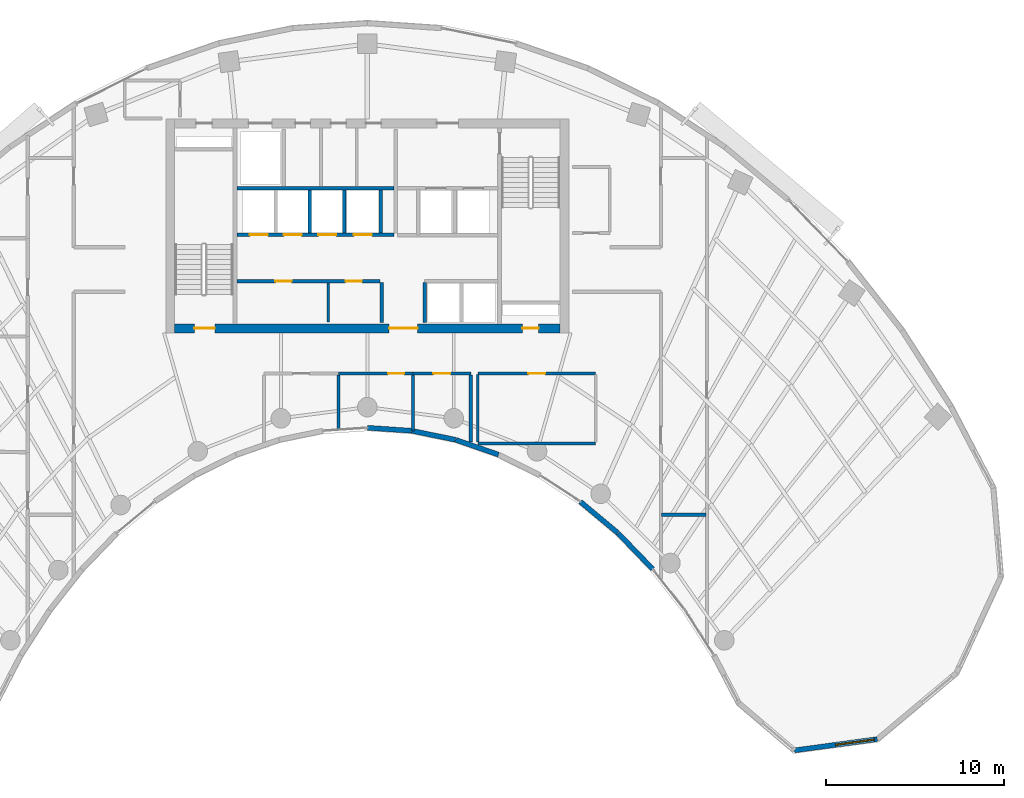
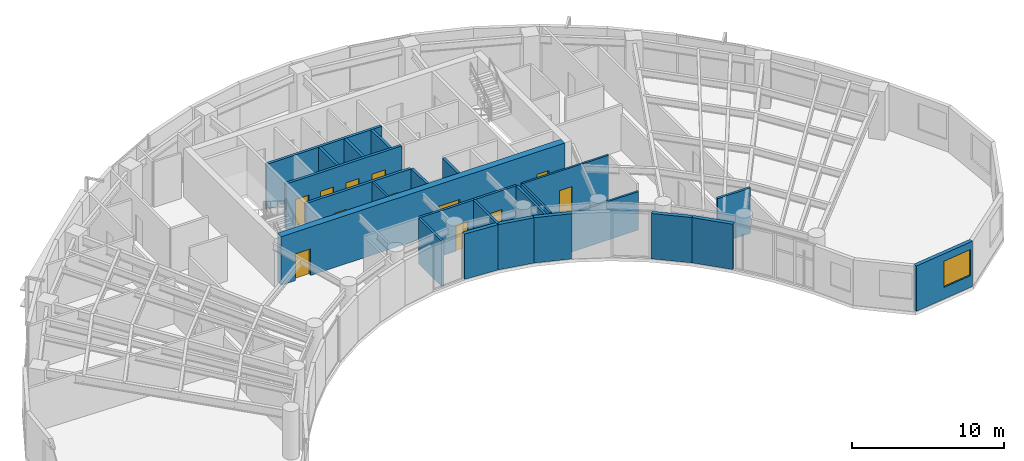
# One storey, part 8 of 13: 25 walls, 12 doors, 1 window, 13 openings.
"""IFC4 building model written with IfcOpenShell, lengths in metres."""

from ifc_helpers import new_model, si_unit, direction, frame, frame_2d, origin, place, context, subcontext, project, spatial, rectangle, extrude, source, transform, mapped, material, layer, layer_set, type_object, type_shapes, element, fill, save


model = new_model("IFC4")

# Units and contexts
model_context = context("Model", 3, precision=1e-05, world=origin(), true_north=direction((0.0, 1.0)))
body_context = subcontext(model_context, "Body", "Model", "MODEL_VIEW")
ifc_project = project(units=[si_unit("LENGTHUNIT", "METRE"), si_unit("AREAUNIT", "SQUARE_METRE"), si_unit("VOLUMEUNIT", "CUBIC_METRE"), si_unit("PLANEANGLEUNIT", "RADIAN"), si_unit("MASSUNIT", "GRAM", prefix="KILO")], contexts=[model_context])

# Site, building, storey
site_placement = place(None, origin())
site = spatial("IfcSite", under=ifc_project, at=site_placement, CompositionType="ELEMENT")
building_placement = place(site_placement, origin())
building = spatial("IfcBuilding", under=site, at=building_placement, Name="Breltana Convention Tower", CompositionType="ELEMENT")
storey_placement = place(building_placement, frame((0.0, 0.0, 174.0)))
storey = spatial("IfcBuildingStorey", under=building, at=storey_placement, Name="L42", CompositionType="ELEMENT", Elevation=174.0)

# Wall, openings, doors
ifc_material_1 = material(Name="Concrete C60/75", Category="concrete")
ifc_layer_1 = layer(ifc_material_1, 0.5, Name="Concrete C60/75")
ifc_layer_set_1 = layer_set([ifc_layer_1], Name="Concrete C60/75")
wall_type_1 = type_object("IfcWallType", Name="SW-CORE-500", PredefinedType="SHEAR", material=ifc_layer_set_1)
shared_shape_1 = source(origin(), body_context, "Body", "SweptSolid", [
    extrude(rectangle(XDim=21.60009765625, YDim=0.5, at=frame_2d((10.800048828125, 0.0))), origin(), (0.0, 0.0, 1.0), 3.89990234375),
])
wall_1_placement = place(storey_placement, frame((37.199951171875, 60.449951171875, 0.0), z_axis=(0.0, 0.0, 1.0), x_axis=(1.0, 0.0, 0.0)))
wall_1 = element("IfcWall", 1, at=wall_1_placement, inside=storey, type_object=wall_type_1, Name="L42 South Core Shear Wall", PredefinedType="SHEAR", context=body_context, shape_type="MappedRepresentation", body=[
    mapped(shared_shape_1, transform((0.0, 0.0, 0.0), scale=1.0)),
])
opening_1_placement = place(wall_1_placement, frame((1.10009765625, 0.0, 0.0)))
opening_1 = element("IfcOpeningElement", 2, at=opening_1_placement, cuts=wall_1, Name="Opening D-11", PredefinedType="OPENING", context=body_context, shape_type="SweptSolid", body=[
    extrude(rectangle(XDim=1.14990234375, YDim=2.14990234375, at=frame_2d((0.574951171875, 1.074951171875))), frame((0.0, 0.260009765625, 0.0), z_axis=(0.0, -1.0, 0.0), x_axis=(1.0, 0.0, 0.0)), (0.0, 0.0, 1.0), 0.52001953125),
])
opening_2_placement = place(wall_1_placement, frame((19.5, 0.0, 0.0)))
opening_2 = element("IfcOpeningElement", 3, at=opening_2_placement, cuts=wall_1, Name="Opening D-18", PredefinedType="OPENING", context=body_context, shape_type="SweptSolid", body=[
    extrude(rectangle(XDim=0.89990234375, YDim=2.10009765625, at=frame_2d((0.449951171875, 1.050048828125))), frame((0.0, 0.260009765625, 0.0), z_axis=(0.0, -1.0, 0.0), x_axis=(1.0, 0.0, 0.0)), (0.0, 0.0, 1.0), 0.52001953125),
])
opening_3_placement = place(wall_1_placement, frame((12.02001953125, 0.0, 0.0)))
opening_3 = element("IfcOpeningElement", 4, at=opening_3_placement, cuts=wall_1, Name="Opening D-02", PredefinedType="OPENING", context=body_context, shape_type="SweptSolid", body=[
    extrude(rectangle(XDim=1.60009765625, YDim=2.14990234375, at=frame_2d((0.800048828125, 1.074951171875))), frame((0.0, 0.260009765625, 0.0), z_axis=(0.0, -1.0, 0.0), x_axis=(1.0, 0.0, 0.0)), (0.0, 0.0, 1.0), 0.52001953125),
])
ifc_material_2 = material(Name="Steel Stair Exit Door", Category="steel")
door_type_1 = type_object("IfcDoorType", Name="DR-FD120-1150", OperationType="NOTDEFINED", PredefinedType="DOOR", material=ifc_material_2)
shared_shape_2 = source(origin(), body_context, "Body", "SweptSolid", [
    extrude(rectangle(XDim=1.14990234375, YDim=2.14990234375, at=frame_2d((0.574951171875, 1.074951171875))), frame((0.0, 0.02490234375, 0.0), z_axis=(0.0, -1.0, 0.0), x_axis=(1.0, 0.0, 0.0)), (0.0, 0.0, 1.0), 0.050048828125),
])
type_shapes(door_type_1, [shared_shape_2])
door_1_placement = place(opening_1_placement, origin())
door_1 = element("IfcDoor", 5, at=door_1_placement, inside=storey, type_object=door_type_1, Name="L42 interior door D-L42-ST1", OperationType="SINGLE_SWING_LEFT", OverallHeight=2.14990234375, OverallWidth=1.14990234375, PredefinedType="DOOR", context=body_context, shape_type="MappedRepresentation", body=[
    mapped(shared_shape_2, transform((0.0, 0.0, 0.0), scale=1.0)),
])
fill(opening_1, door_1)
ifc_material_3 = material(Name="Steel Riser Fire Door", Category="steel")
door_type_2 = type_object("IfcDoorType", Name="DR-FD60-900", OperationType="NOTDEFINED", PredefinedType="DOOR", material=ifc_material_3)
shared_shape_3 = source(origin(), body_context, "Body", "SweptSolid", [
    extrude(rectangle(XDim=0.89990234375, YDim=2.10009765625, at=frame_2d((0.449951171875, 1.050048828125))), frame((0.0, 0.02490234375, 0.0), z_axis=(0.0, -1.0, 0.0), x_axis=(1.0, 0.0, 0.0)), (0.0, 0.0, 1.0), 0.050048828125),
])
type_shapes(door_type_2, [shared_shape_3])
door_2_placement = place(opening_2_placement, origin())
door_2 = element("IfcDoor", 6, at=door_2_placement, inside=storey, type_object=door_type_2, Name="L42 Core Riser Access Door D-L42-RS2", OperationType="SINGLE_SWING_RIGHT", OverallHeight=2.10009765625, OverallWidth=0.89990234375, PredefinedType="DOOR", context=body_context, shape_type="MappedRepresentation", body=[
    mapped(shared_shape_3, transform((0.0, 0.0, 0.0), scale=1.0)),
])
fill(opening_2, door_2)
ifc_material_4 = material(Name="Steel Glazed Smoke-Control Door", Category="steel")
door_type_3 = type_object("IfcDoorType", Name="DR-DBL-FD90-1600", OperationType="DOUBLE_DOOR_SINGLE_SWING", PredefinedType="DOOR", material=ifc_material_4)
shared_shape_4 = source(origin(), body_context, "Body", "SweptSolid", [
    extrude(rectangle(XDim=1.60009765625, YDim=2.14990234375, at=frame_2d((0.800048828125, 1.074951171875))), frame((0.0, 0.02490234375, 0.0), z_axis=(0.0, -1.0, 0.0), x_axis=(1.0, 0.0, 0.0)), (0.0, 0.0, 1.0), 0.050048828125),
])
type_shapes(door_type_3, [shared_shape_4])
door_3_placement = place(opening_3_placement, origin())
door_3 = element("IfcDoor", 7, at=door_3_placement, inside=storey, type_object=door_type_3, Name="L42 interior door D-L42-LLB-S", OperationType="DOUBLE_DOOR_SINGLE_SWING", OverallHeight=2.14990234375, OverallWidth=1.60009765625, PredefinedType="DOOR", context=body_context, shape_type="MappedRepresentation", body=[
    mapped(shared_shape_4, transform((0.0, 0.0, 0.0), scale=1.0)),
])
fill(opening_3, door_3)

# Wall, opening, window
ifc_material_5 = material(Name="Limestone Buff Insulated Wall", Category="masonry")
ifc_layer_2 = layer(ifc_material_5, 0.280029296875, Name="Limestone Buff Insulated Wall")
ifc_layer_set_2 = layer_set([ifc_layer_2], Name="Limestone Buff Insulated Wall")
wall_type_2 = type_object("IfcWallType", Name="WL-EXT-NOSE-280", PredefinedType="SOLIDWALL", material=ifc_layer_set_2)
shared_shape_5 = source(origin(), body_context, "Body", "SweptSolid", [
    extrude(rectangle(XDim=4.680419921875, YDim=0.280029296875, at=frame_2d((2.34033203125, 0.0))), origin(), (0.0, 0.0, 1.0), 3.64990234375),
])
wall_2_placement = place(storey_placement, frame((76.594482421875, 37.41650390625, 0.0), z_axis=(0.0, 0.0, 1.0), x_axis=(-0.990931146435, -0.134370618162, 0.0)))
wall_2 = element("IfcWall", 8, at=wall_2_placement, inside=storey, type_object=wall_type_2, Name="L42 curved limestone nose wall E4", PredefinedType="SOLIDWALL", context=body_context, shape_type="MappedRepresentation", body=[
    mapped(shared_shape_5, transform((0.0, 0.0, 0.0), scale=1.0)),
])
opening_4_placement = place(wall_2_placement, frame((0.159912109375, 0.0, 0.949951171875)))
opening_4 = element("IfcOpeningElement", 9, at=opening_4_placement, cuts=wall_2, Name="Opening W-03", PredefinedType="OPENING", context=body_context, shape_type="SweptSolid", body=[
    extrude(rectangle(XDim=2.199951171875, YDim=2.10009765625, at=frame_2d((1.10009765625, 1.050048828125))), frame((0.0, 0.14990234375, 0.0), z_axis=(0.0, -1.0, 0.0), x_axis=(1.0, 0.0, 0.0)), (0.0, 0.0, 1.0), 0.300048828125),
])
ifc_material_6 = material(Name="Glass Low-E Insulated Window", Category="glass")
window_type = type_object("IfcWindowType", Name="WN-NOSE-2200X2100", PartitioningType="TRIPLE_PANEL_VERTICAL", PredefinedType="WINDOW", material=ifc_material_6)
shared_shape_6 = source(origin(), body_context, "Body", "SweptSolid", [
    extrude(rectangle(XDim=2.199951171875, YDim=2.10009765625, at=frame_2d((1.10009765625, 1.050048828125))), frame((0.0, 0.030029296875, 0.0), z_axis=(0.0, -1.0, 0.0), x_axis=(1.0, 0.0, 0.0)), (0.0, 0.0, 1.0), 0.06005859375),
])
type_shapes(window_type, [shared_shape_6])
window_placement = place(opening_4_placement, origin())
window = element("IfcWindow", 10, at=window_placement, inside=storey, type_object=window_type, Name="L42 nose window E4", OverallHeight=2.10009765625, OverallWidth=2.199951171875, PartitioningType="TRIPLE_PANEL_VERTICAL", PredefinedType="WINDOW", context=body_context, shape_type="MappedRepresentation", body=[
    mapped(shared_shape_6, transform((0.0, 0.0, 0.0), scale=1.0)),
])
fill(opening_4, window)

# Walls
shared_shape_7 = source(origin(), body_context, "Body", "SweptSolid", [
    extrude(rectangle(XDim=2.812255859375, YDim=0.280029296875, at=frame_2d((1.40625, 0.0))), origin(), (0.0, 0.0, 1.0), 3.64990234375),
])
wall_3_placement = place(storey_placement, frame((64.00830078125, 46.9501953125, 0.0), z_axis=(0.0, 0.0, 1.0), x_axis=(-0.694583668785, 0.719411931411, 0.0)))
element("IfcWall", 11, at=wall_3_placement, inside=storey, type_object=wall_type_2, Name="L42 curved limestone nose wall E7", PredefinedType="SOLIDWALL", context=body_context, shape_type="MappedRepresentation", body=[
    mapped(shared_shape_7, transform((0.0, 0.0, 0.0), scale=1.0)),
])
shared_shape_8 = source(origin(), body_context, "Body", "SweptSolid", [
    extrude(rectangle(XDim=2.7294921875, YDim=0.280029296875, at=frame_2d((1.36474609375, 0.0))), origin(), (0.0, 0.0, 1.0), 3.64990234375),
])
wall_4_placement = place(storey_placement, frame((62.040771484375, 48.986572265625, 0.0), z_axis=(0.0, 0.0, 1.0), x_axis=(-0.767957284255, 0.640501061326, 0.0)))
element("IfcWall", 12, at=wall_4_placement, inside=storey, type_object=wall_type_2, Name="L42 curved limestone nose wall E8", PredefinedType="SOLIDWALL", context=body_context, shape_type="MappedRepresentation", body=[
    mapped(shared_shape_8, transform((0.0, 0.0, 0.0), scale=1.0)),
])
shared_shape_9 = source(origin(), body_context, "Body", "SweptSolid", [
    extrude(rectangle(XDim=2.52978515625, YDim=0.280029296875, at=frame_2d((1.264892578125, 0.0))), origin(), (0.0, 0.0, 1.0), 3.64990234375),
])
wall_5_placement = place(storey_placement, frame((55.35546875, 53.369873046875, 0.0), z_axis=(0.0, 0.0, 1.0), x_axis=(-0.944872429646, 0.327438683872, 0.0)))
element("IfcWall", 13, at=wall_5_placement, inside=storey, type_object=wall_type_2, Name="L42 curved limestone nose wall E10", PredefinedType="SOLIDWALL", context=body_context, shape_type="MappedRepresentation", body=[
    mapped(shared_shape_9, transform((0.0, 0.0, 0.0), scale=1.0)),
])
shared_shape_10 = source(origin(), body_context, "Body", "SweptSolid", [
    extrude(rectangle(XDim=2.4912109375, YDim=0.280029296875, at=frame_2d((1.24560546875, 0.0))), origin(), (0.0, 0.0, 1.0), 3.64990234375),
])
wall_6_placement = place(storey_placement, frame((52.9423828125, 54.20458984375, 0.0), z_axis=(0.0, 0.0, 1.0), x_axis=(-0.979630885979, 0.200806691214, 0.0)))
element("IfcWall", 14, at=wall_6_placement, inside=storey, type_object=wall_type_2, Name="L42 curved limestone nose wall E11", PredefinedType="SOLIDWALL", context=body_context, shape_type="MappedRepresentation", body=[
    mapped(shared_shape_10, transform((0.0, 0.0, 0.0), scale=1.0)),
])
shared_shape_11 = source(origin(), body_context, "Body", "SweptSolid", [
    extrude(rectangle(XDim=2.471435546875, YDim=0.280029296875, at=frame_2d((1.23583984375, 0.0))), origin(), (0.0, 0.0, 1.0), 3.64990234375),
])
wall_7_placement = place(storey_placement, frame((50.47802734375, 54.708251953125, 0.0), z_axis=(0.0, 0.0, 1.0), x_axis=(-0.997708006929, 0.067666335123, 0.0)))
element("IfcWall", 15, at=wall_7_placement, inside=storey, type_object=wall_type_2, Name="L42 curved limestone nose wall E12", PredefinedType="SOLIDWALL", context=body_context, shape_type="MappedRepresentation", body=[
    mapped(shared_shape_11, transform((0.0, 0.0, 0.0), scale=1.0)),
])
ifc_material_7 = material(Name="Autoclaved Aerated Concrete Block", Category="concrete")
ifc_layer_3 = layer(ifc_material_7, 0.199951171875, Name="Autoclaved Aerated Concrete Block")
ifc_layer_set_3 = layer_set([ifc_layer_3], Name="Autoclaved Aerated Concrete Block")
wall_type_3 = type_object("IfcWallType", Name="WL-SHAFT-200", PredefinedType="SOLIDWALL", material=ifc_layer_set_3)
shared_shape_12 = source(origin(), body_context, "Body", "SweptSolid", [
    extrude(rectangle(XDim=2.239990234375, YDim=0.199951171875, at=frame_2d((1.1201171875, 0.0))), origin(), (0.0, 0.0, 1.0), 3.64990234375),
])
for number, where, z_axis, x_axis, name in (
    (16, (48.820068359375, 60.780029296875, 0.0), (0.0, 0.0, 1.0), (0.0, 1.0, 0.0), "L42 interior partition W-L42-PORT-W"),
    (17, (51.219970703125, 60.780029296875, 0.0), (0.0, 0.0, 1.0), (0.0, 1.0, 0.0), "L42 interior partition W-L42-PORT-E"),
):
    element("IfcWall", number, at=place(storey_placement, frame(where, z_axis=z_axis, x_axis=x_axis)), inside=storey, type_object=wall_type_3, Name=name, PredefinedType="SOLIDWALL", context=body_context, shape_type="MappedRepresentation", body=[
        mapped(shared_shape_12, transform((0.0, 0.0, 0.0), scale=1.0)),
    ])
shared_shape_13 = source(origin(), body_context, "Body", "SweptSolid", [
    extrude(rectangle(XDim=2.39990234375, YDim=0.199951171875, at=frame_2d((1.199951171875, 0.0))), origin(), (0.0, 0.0, 1.0), 3.64990234375),
])
for number, where, z_axis, x_axis, name in (
    (18, (48.75, 65.800048828125, 0.0), (0.0, 0.0, 1.0), (0.0, 1.0, 0.0), "L42 interior partition W-L42-SH-M-END"),
    (19, (44.77001953125, 65.800048828125, 0.0), (0.0, 0.0, 1.0), (0.0, 1.0, 0.0), "L42 interior partition W-L42-SH-M-DIV2"),
    (20, (46.699951171875, 65.800048828125, 0.0), (0.0, 0.0, 1.0), (0.0, 1.0, 0.0), "L42 interior partition W-L42-SH-M-DIV3"),
):
    element("IfcWall", number, at=place(storey_placement, frame(where, z_axis=z_axis, x_axis=x_axis)), inside=storey, type_object=wall_type_3, Name=name, PredefinedType="SOLIDWALL", context=body_context, shape_type="MappedRepresentation", body=[
        mapped(shared_shape_13, transform((0.0, 0.0, 0.0), scale=1.0)),
    ])
shared_shape_14 = source(origin(), body_context, "Body", "SweptSolid", [
    extrude(rectangle(XDim=8.800048828125, YDim=0.199951171875, at=frame_2d((4.39990234375, 0.0))), origin(), (0.0, 0.0, 1.0), 3.64990234375),
])
wall_8_placement = place(storey_placement, frame((40.699951171875, 68.300048828125, 0.0), z_axis=(0.0, 0.0, 1.0), x_axis=(1.0, 0.0, 0.0)))
element("IfcWall", 21, at=wall_8_placement, inside=storey, type_object=wall_type_3, Name="L42 interior partition W-L42-SV-S", PredefinedType="SOLIDWALL", context=body_context, shape_type="MappedRepresentation", body=[
    mapped(shared_shape_14, transform((0.0, 0.0, 0.0), scale=1.0)),
])

# Wall, openings, doors
wall_9_placement = place(storey_placement, frame((40.699951171875, 65.699951171875, 0.0), z_axis=(0.0, 0.0, 1.0), x_axis=(1.0, 0.0, 0.0)))
wall_9 = element("IfcWall", 22, at=wall_9_placement, inside=storey, type_object=wall_type_3, Name="L42 interior partition W-L42-SH-M-FRONT", PredefinedType="SOLIDWALL", context=body_context, shape_type="MappedRepresentation", body=[
    mapped(shared_shape_14, transform((0.0, 0.0, 0.0), scale=1.0)),
])
opening_5_placement = place(wall_9_placement, frame((0.719970703125, 0.0, 0.0)))
opening_5 = element("IfcOpeningElement", 23, at=opening_5_placement, cuts=wall_9, Name="Opening LD-04", PredefinedType="OPENING", context=body_context, shape_type="SweptSolid", body=[
    extrude(rectangle(XDim=1.0, YDim=2.14990234375, at=frame_2d((0.5, 1.074951171875))), frame((0.0, 0.10986328125, 0.0), z_axis=(0.0, -1.0, 0.0), x_axis=(1.0, 0.0, 0.0)), (0.0, 0.0, 1.0), 0.219970703125),
])
opening_6_placement = place(wall_9_placement, frame((2.6201171875, 0.0, 0.0)))
opening_6 = element("IfcOpeningElement", 24, at=opening_6_placement, cuts=wall_9, Name="Opening LD-04", PredefinedType="OPENING", context=body_context, shape_type="SweptSolid", body=[
    extrude(rectangle(XDim=1.0, YDim=2.14990234375, at=frame_2d((0.5, 1.074951171875))), frame((0.0, 0.10986328125, 0.0), z_axis=(0.0, -1.0, 0.0), x_axis=(1.0, 0.0, 0.0)), (0.0, 0.0, 1.0), 0.219970703125),
])
opening_7_placement = place(wall_9_placement, frame((4.550048828125, 0.0, 0.0)))
opening_7 = element("IfcOpeningElement", 25, at=opening_7_placement, cuts=wall_9, Name="Opening LD-04", PredefinedType="OPENING", context=body_context, shape_type="SweptSolid", body=[
    extrude(rectangle(XDim=1.0, YDim=2.14990234375, at=frame_2d((0.5, 1.074951171875))), frame((0.0, 0.10986328125, 0.0), z_axis=(0.0, -1.0, 0.0), x_axis=(1.0, 0.0, 0.0)), (0.0, 0.0, 1.0), 0.219970703125),
])
opening_8_placement = place(wall_9_placement, frame((6.550048828125, 0.0, 0.0)))
opening_8 = element("IfcOpeningElement", 26, at=opening_8_placement, cuts=wall_9, Name="Opening LD-04", PredefinedType="OPENING", context=body_context, shape_type="SweptSolid", body=[
    extrude(rectangle(XDim=1.0, YDim=2.14990234375, at=frame_2d((0.5, 1.074951171875))), frame((0.0, 0.10986328125, 0.0), z_axis=(0.0, -1.0, 0.0), x_axis=(1.0, 0.0, 0.0)), (0.0, 0.0, 1.0), 0.219970703125),
])
ifc_material_8 = material(Name="Stainless Steel Brushed", Category="steel")
door_type_4 = type_object("IfcDoorType", Name="DR-LD-PAX-1000", OperationType="DOUBLE_DOOR_SLIDING", PredefinedType="DOOR", material=ifc_material_8)
shared_shape_15 = source(origin(), body_context, "Body", "SweptSolid", [
    extrude(rectangle(XDim=1.0, YDim=2.14990234375, at=frame_2d((0.5, 1.074951171875))), frame((0.0, 0.02490234375, 0.0), z_axis=(0.0, -1.0, 0.0), x_axis=(1.0, 0.0, 0.0)), (0.0, 0.0, 1.0), 0.050048828125),
])
type_shapes(door_type_4, [shared_shape_15])
door_4_placement = place(opening_5_placement, origin())
door_4 = element("IfcDoor", 27, at=door_4_placement, inside=storey, type_object=door_type_4, Name="L42 Lift Landing Door D-L42-LD-M1", OperationType="DOUBLE_DOOR_SLIDING", OverallHeight=2.14990234375, OverallWidth=1.0, PredefinedType="DOOR", context=body_context, shape_type="MappedRepresentation", body=[
    mapped(shared_shape_15, transform((0.0, 0.0, 0.0), scale=1.0)),
])
fill(opening_5, door_4)
door_5_placement = place(opening_6_placement, origin())
door_5 = element("IfcDoor", 28, at=door_5_placement, inside=storey, type_object=door_type_4, Name="L42 Lift Landing Door D-L42-LD-M2", OperationType="DOUBLE_DOOR_SLIDING", OverallHeight=2.14990234375, OverallWidth=1.0, PredefinedType="DOOR", context=body_context, shape_type="MappedRepresentation", body=[
    mapped(shared_shape_15, transform((0.0, 0.0, 0.0), scale=1.0)),
])
fill(opening_6, door_5)
door_6_placement = place(opening_7_placement, origin())
door_6 = element("IfcDoor", 29, at=door_6_placement, inside=storey, type_object=door_type_4, Name="L42 Lift Landing Door D-L42-LD-M3", OperationType="DOUBLE_DOOR_SLIDING", OverallHeight=2.14990234375, OverallWidth=1.0, PredefinedType="DOOR", context=body_context, shape_type="MappedRepresentation", body=[
    mapped(shared_shape_15, transform((0.0, 0.0, 0.0), scale=1.0)),
])
fill(opening_7, door_6)
door_7_placement = place(opening_8_placement, origin())
door_7 = element("IfcDoor", 30, at=door_7_placement, inside=storey, type_object=door_type_4, Name="L42 Lift Landing Door D-L42-LD-M4", OperationType="DOUBLE_DOOR_SLIDING", OverallHeight=2.14990234375, OverallWidth=1.0, PredefinedType="DOOR", context=body_context, shape_type="MappedRepresentation", body=[
    mapped(shared_shape_15, transform((0.0, 0.0, 0.0), scale=1.0)),
])
fill(opening_8, door_7)

shared_shape_16 = source(origin(), body_context, "Body", "SweptSolid", [
    extrude(rectangle(XDim=8.02001953125, YDim=0.199951171875, at=frame_2d((4.010009765625, 0.0))), origin(), (0.0, 0.0, 1.0), 3.64990234375),
])
wall_10_placement = place(storey_placement, frame((40.699951171875, 63.10009765625, 0.0), z_axis=(0.0, 0.0, 1.0), x_axis=(1.0, 0.0, 0.0)))
wall_10 = element("IfcWall", 31, at=wall_10_placement, inside=storey, type_object=wall_type_3, Name="L42 interior partition W-L42-SH-S-FRONT", PredefinedType="SOLIDWALL", context=body_context, shape_type="MappedRepresentation", body=[
    mapped(shared_shape_16, transform((0.0, 0.0, 0.0), scale=1.0)),
])
opening_9_placement = place(wall_10_placement, frame((2.14990234375, 0.0, 0.0)))
opening_9 = element("IfcOpeningElement", 32, at=opening_9_placement, cuts=wall_10, Name="Opening D-18", PredefinedType="OPENING", context=body_context, shape_type="SweptSolid", body=[
    extrude(rectangle(XDim=0.89990234375, YDim=2.10009765625, at=frame_2d((0.449951171875, 1.050048828125))), frame((0.0, 0.10986328125, 0.0), z_axis=(0.0, -1.0, 0.0), x_axis=(1.0, 0.0, 0.0)), (0.0, 0.0, 1.0), 0.219970703125),
])
opening_10_placement = place(wall_10_placement, frame((6.090087890625, 0.0, 0.0)))
opening_10 = element("IfcOpeningElement", 33, at=opening_10_placement, cuts=wall_10, Name="Opening D-18", PredefinedType="OPENING", context=body_context, shape_type="SweptSolid", body=[
    extrude(rectangle(XDim=0.89990234375, YDim=2.10009765625, at=frame_2d((0.449951171875, 1.050048828125))), frame((0.0, 0.10986328125, 0.0), z_axis=(0.0, -1.0, 0.0), x_axis=(1.0, 0.0, 0.0)), (0.0, 0.0, 1.0), 0.219970703125),
])
door_8_placement = place(opening_9_placement, origin())
door_8 = element("IfcDoor", 34, at=door_8_placement, inside=storey, type_object=door_type_2, Name="L42 interior door D-L42-LV7-B1A", OperationType="SINGLE_SWING_LEFT", OverallHeight=2.10009765625, OverallWidth=0.89990234375, PredefinedType="DOOR", context=body_context, shape_type="MappedRepresentation", body=[
    mapped(shared_shape_3, transform((0.0, 0.0, 0.0), scale=1.0)),
])
fill(opening_9, door_8)
door_9_placement = place(opening_10_placement, origin())
door_9 = element("IfcDoor", 35, at=door_9_placement, inside=storey, type_object=door_type_2, Name="L42 interior door D-L42-LV7-B1B", OperationType="SINGLE_SWING_RIGHT", OverallHeight=2.10009765625, OverallWidth=0.89990234375, PredefinedType="DOOR", context=body_context, shape_type="MappedRepresentation", body=[
    mapped(shared_shape_3, transform((0.0, 0.0, 0.0), scale=1.0)),
])
fill(opening_10, door_9)

# Wall, opening, door
ifc_material_9 = material(Name="Moisture-Resistant Gypsum Chase Wall")
ifc_layer_4 = layer(ifc_material_9, 0.179931640625, Name="Moisture-Resistant Gypsum Chase Wall")
ifc_layer_set_4 = layer_set([ifc_layer_4], Name="Moisture-Resistant Gypsum Chase Wall")
wall_type_4 = type_object("IfcWallType", Name="WL-PLUMB-180", PredefinedType="PLUMBINGWALL", material=ifc_layer_set_4)
shared_shape_17 = source(origin(), body_context, "Body", "SweptSolid", [
    extrude(rectangle(XDim=4.176025390625, YDim=0.179931640625, at=frame_2d((2.087890625, 0.0))), origin(), (0.0, 0.0, 1.0), 3.64990234375),
])
wall_11_placement = place(storey_placement, frame((46.3759765625, 57.919921875, 0.0), z_axis=(0.0, 0.0, 1.0), x_axis=(1.0, 0.0, 0.0)))
wall_11 = element("IfcWall", 36, at=wall_11_placement, inside=storey, type_object=wall_type_4, Name="L42 interior partition W-L42-WCF-N", PredefinedType="PLUMBINGWALL", context=body_context, shape_type="MappedRepresentation", body=[
    mapped(shared_shape_17, transform((0.0, 0.0, 0.0), scale=1.0)),
])
opening_11_placement = place(wall_11_placement, frame((2.7880859375, 0.0, 0.0)))
opening_11 = element("IfcOpeningElement", 37, at=opening_11_placement, cuts=wall_11, Name="Opening D-19", PredefinedType="OPENING", context=body_context, shape_type="SweptSolid", body=[
    extrude(rectangle(XDim=0.89990234375, YDim=2.080078125, at=frame_2d((0.449951171875, 1.0400390625))), frame((0.0, 0.10009765625, 0.0), z_axis=(0.0, -1.0, 0.0), x_axis=(1.0, 0.0, 0.0)), (0.0, 0.0, 1.0), 0.199951171875),
])
ifc_material_10 = material(Name="Timber Moisture-Resistant Door", Category="wood")
door_type_5 = type_object("IfcDoorType", Name="DR-WC-900", OperationType="NOTDEFINED", PredefinedType="DOOR", material=ifc_material_10)
shared_shape_18 = source(origin(), body_context, "Body", "SweptSolid", [
    extrude(rectangle(XDim=0.89990234375, YDim=2.080078125, at=frame_2d((0.449951171875, 1.0400390625))), frame((0.0, 0.02490234375, 0.0), z_axis=(0.0, -1.0, 0.0), x_axis=(1.0, 0.0, 0.0)), (0.0, 0.0, 1.0), 0.050048828125),
])
type_shapes(door_type_5, [shared_shape_18])
door_10_placement = place(opening_11_placement, origin())
door_10 = element("IfcDoor", 38, at=door_10_placement, inside=storey, type_object=door_type_5, Name="L42 interior door D-L42-WCF", OperationType="SINGLE_SWING_RIGHT", OverallHeight=2.080078125, OverallWidth=0.89990234375, PredefinedType="DOOR", context=body_context, shape_type="MappedRepresentation", body=[
    mapped(shared_shape_18, transform((0.0, 0.0, 0.0), scale=1.0)),
])
fill(opening_11, door_10)

# Wall
ifc_material_11 = material(Name="Cement Board Wet-Area Partition")
ifc_layer_5 = layer(ifc_material_11, 0.175048828125, Name="Cement Board Wet-Area Partition")
ifc_layer_set_5 = layer_set([ifc_layer_5], Name="Cement Board Wet-Area Partition")
wall_type_5 = type_object("IfcWallType", Name="WL-WET-175", PredefinedType="PARTITIONING", material=ifc_layer_set_5)
shared_shape_19 = source(origin(), body_context, "Body", "SweptSolid", [
    extrude(rectangle(XDim=3.7626953125, YDim=0.175048828125, at=frame_2d((1.88134765625, 0.0))), origin(), (0.0, 0.0, 1.0), 3.64990234375),
])
wall_12_placement = place(storey_placement, frame((53.800048828125, 54.07861328125, 0.0), z_axis=(0.0, 0.0, 1.0), x_axis=(0.0, 1.0, 0.0)))
element("IfcWall", 39, at=wall_12_placement, inside=storey, type_object=wall_type_5, Name="L42 interior partition W-L42-WCA-E", PredefinedType="PARTITIONING", context=body_context, shape_type="MappedRepresentation", body=[
    mapped(shared_shape_19, transform((0.0, 0.0, 0.0), scale=1.0)),
])

# Wall, opening, door
shared_shape_20 = source(origin(), body_context, "Body", "SweptSolid", [
    extrude(rectangle(XDim=3.248046875, YDim=0.179931640625, at=frame_2d((1.6240234375, 0.0))), origin(), (0.0, 0.0, 1.0), 3.64990234375),
])
wall_13_placement = place(storey_placement, frame((50.552001953125, 57.919921875, 0.0), z_axis=(0.0, 0.0, 1.0), x_axis=(1.0, 0.0, 0.0)))
wall_13 = element("IfcWall", 40, at=wall_13_placement, inside=storey, type_object=wall_type_4, Name="L42 interior partition W-L42-WCA-N", PredefinedType="PLUMBINGWALL", context=body_context, shape_type="MappedRepresentation", body=[
    mapped(shared_shape_20, transform((0.0, 0.0, 0.0), scale=1.0)),
])
opening_12_placement = place(wall_13_placement, frame((1.14892578125, 0.0, 0.0)))
opening_12 = element("IfcOpeningElement", 41, at=opening_12_placement, cuts=wall_13, Name="Opening D-16", PredefinedType="OPENING", context=body_context, shape_type="SweptSolid", body=[
    extrude(rectangle(XDim=0.949951171875, YDim=2.1201171875, at=frame_2d((0.47509765625, 1.06005859375))), frame((0.0, 0.10009765625, 0.0), z_axis=(0.0, -1.0, 0.0), x_axis=(1.0, 0.0, 0.0)), (0.0, 0.0, 1.0), 0.199951171875),
])
ifc_material_12 = material(Name="Timber Laminate Accessible Door", Category="wood")
door_type_6 = type_object("IfcDoorType", Name="DR-ACC-950", OperationType="NOTDEFINED", PredefinedType="DOOR", material=ifc_material_12)
shared_shape_21 = source(origin(), body_context, "Body", "SweptSolid", [
    extrude(rectangle(XDim=0.949951171875, YDim=2.1201171875, at=frame_2d((0.47509765625, 1.06005859375))), frame((0.0, 0.02490234375, 0.0), z_axis=(0.0, -1.0, 0.0), x_axis=(1.0, 0.0, 0.0)), (0.0, 0.0, 1.0), 0.050048828125),
])
type_shapes(door_type_6, [shared_shape_21])
door_11_placement = place(opening_12_placement, origin())
door_11 = element("IfcDoor", 42, at=door_11_placement, inside=storey, type_object=door_type_6, Name="L42 interior door D-L42-WCA", OperationType="SINGLE_SWING_LEFT", OverallHeight=2.1201171875, OverallWidth=0.949951171875, PredefinedType="DOOR", context=body_context, shape_type="MappedRepresentation", body=[
    mapped(shared_shape_21, transform((0.0, 0.0, 0.0), scale=1.0)),
])
fill(opening_12, door_11)

# Wall
ifc_material_13 = material(Name="Gypsum Acoustic Drywall Partition")
ifc_layer_6 = layer(ifc_material_13, 0.14990234375, Name="Gypsum Acoustic Drywall Partition")
ifc_layer_set_6 = layer_set([ifc_layer_6], Name="Gypsum Acoustic Drywall Partition")
wall_type_6 = type_object("IfcWallType", Name="WL-PART-150", PredefinedType="PARTITIONING", material=ifc_layer_set_6)
shared_shape_22 = source(origin(), body_context, "Body", "SweptSolid", [
    extrude(rectangle(XDim=6.60009765625, YDim=0.14990234375, at=frame_2d((3.300048828125, 0.0))), origin(), (0.0, 0.0, 1.0), 3.094970703125),
])
wall_14_placement = place(storey_placement, frame((54.199951171875, 54.0, 0.0), z_axis=(0.0, 0.0, 1.0), x_axis=(1.0, 0.0, 0.0)))
element("IfcWall", 43, at=wall_14_placement, inside=storey, type_object=wall_type_6, Name="L42 interior partition W-L42-PNT-S", PredefinedType="PARTITIONING", context=body_context, shape_type="MappedRepresentation", body=[
    mapped(shared_shape_22, transform((0.0, 0.0, 0.0), scale=1.0)),
])

# Wall, opening, door
shared_shape_23 = source(origin(), body_context, "Body", "SweptSolid", [
    extrude(rectangle(XDim=6.60009765625, YDim=0.14990234375, at=frame_2d((3.300048828125, 0.0))), origin(), (0.0, 0.0, 1.0), 3.64990234375),
])
wall_15_placement = place(storey_placement, frame((54.199951171875, 57.919921875, 0.0), z_axis=(0.0, 0.0, 1.0), x_axis=(1.0, 0.0, 0.0)))
wall_15 = element("IfcWall", 44, at=wall_15_placement, inside=storey, type_object=wall_type_6, Name="L42 interior partition W-L42-PNT-N", PredefinedType="PARTITIONING", context=body_context, shape_type="MappedRepresentation", body=[
    mapped(shared_shape_23, transform((0.0, 0.0, 0.0), scale=1.0)),
])
opening_13_placement = place(wall_15_placement, frame((2.824951171875, 0.0, 0.0)))
opening_13 = element("IfcOpeningElement", 45, at=opening_13_placement, cuts=wall_15, Name="Opening D-17", PredefinedType="OPENING", context=body_context, shape_type="SweptSolid", body=[
    extrude(rectangle(XDim=0.949951171875, YDim=2.10009765625, at=frame_2d((0.47509765625, 1.050048828125))), frame((0.0, 0.0849609375, 0.0), z_axis=(0.0, -1.0, 0.0), x_axis=(1.0, 0.0, 0.0)), (0.0, 0.0, 1.0), 0.169921875),
])
ifc_material_14 = material(Name="Timber Oak Veneer Door", Category="wood")
door_type_7 = type_object("IfcDoorType", Name="DR-INT-950", OperationType="NOTDEFINED", PredefinedType="DOOR", material=ifc_material_14)
shared_shape_24 = source(origin(), body_context, "Body", "SweptSolid", [
    extrude(rectangle(XDim=0.949951171875, YDim=2.10009765625, at=frame_2d((0.47509765625, 1.050048828125))), frame((0.0, 0.02490234375, 0.0), z_axis=(0.0, -1.0, 0.0), x_axis=(1.0, 0.0, 0.0)), (0.0, 0.0, 1.0), 0.050048828125),
])
type_shapes(door_type_7, [shared_shape_24])
door_12_placement = place(opening_13_placement, origin())
door_12 = element("IfcDoor", 46, at=door_12_placement, inside=storey, type_object=door_type_7, Name="L42 interior door D-L42-PNT", OperationType="SINGLE_SWING_RIGHT", OverallHeight=2.10009765625, OverallWidth=0.949951171875, PredefinedType="DOOR", context=body_context, shape_type="MappedRepresentation", body=[
    mapped(shared_shape_24, transform((0.0, 0.0, 0.0), scale=1.0)),
])
fill(opening_13, door_12)

# Walls
shared_shape_25 = source(origin(), body_context, "Body", "SweptSolid", [
    extrude(rectangle(XDim=3.78515625, YDim=0.14990234375, at=frame_2d((1.892578125, 0.0))), origin(), (0.0, 0.0, 1.0), 3.64990234375),
])
wall_16_placement = place(storey_placement, frame((54.199951171875, 54.0673828125, 0.0), z_axis=(0.0, 0.0, 1.0), x_axis=(0.0, 1.0, 0.0)))
element("IfcWall", 47, at=wall_16_placement, inside=storey, type_object=wall_type_6, Name="L42 interior partition W-L42-PNT-W", PredefinedType="PARTITIONING", context=body_context, shape_type="MappedRepresentation", body=[
    mapped(shared_shape_25, transform((0.0, 0.0, 0.0), scale=1.0)),
])
shared_shape_26 = source(origin(), body_context, "Body", "SweptSolid", [
    extrude(rectangle(XDim=2.199951171875, YDim=0.14990234375, at=frame_2d((1.10009765625, 0.0))), origin(), (0.0, 0.0, 1.0), 3.64990234375),
])
wall_17_placement = place(storey_placement, frame((45.800048828125, 60.800048828125, 0.0), z_axis=(0.0, 0.0, 1.0), x_axis=(0.0, 1.0, 0.0)))
element("IfcWall", 48, at=wall_17_placement, inside=storey, type_object=wall_type_6, Name="L42 interior partition W-L42-LV7-B1-DIV", PredefinedType="PARTITIONING", context=body_context, shape_type="MappedRepresentation", body=[
    mapped(shared_shape_26, transform((0.0, 0.0, 0.0), scale=1.0)),
])
shared_shape_27 = source(origin(), body_context, "Body", "SweptSolid", [
    extrude(rectangle(XDim=3.065185546875, YDim=0.175048828125, at=frame_2d((1.53271484375, 0.0))), origin(), (0.0, 0.0, 1.0), 3.64990234375),
])
wall_18_placement = place(storey_placement, frame((46.3759765625, 54.776123046875, 0.0), z_axis=(0.0, 0.0, 1.0), x_axis=(0.0, 1.0, 0.0)))
element("IfcWall", 49, at=wall_18_placement, inside=storey, type_object=wall_type_5, Name="L42 interior partition W-L42-WCM-E", PredefinedType="PARTITIONING", context=body_context, shape_type="MappedRepresentation", body=[
    mapped(shared_shape_27, transform((0.0, 0.0, 0.0), scale=1.0)),
])
shared_shape_28 = source(origin(), body_context, "Body", "SweptSolid", [
    extrude(rectangle(XDim=3.136474609375, YDim=0.175048828125, at=frame_2d((1.568359375, 0.0))), origin(), (0.0, 0.0, 1.0), 3.64990234375),
])
wall_19_placement = place(storey_placement, frame((50.552001953125, 54.704833984375, 0.0), z_axis=(0.0, 0.0, 1.0), x_axis=(0.0, 1.0, 0.0)))
element("IfcWall", 50, at=wall_19_placement, inside=storey, type_object=wall_type_5, Name="L42 interior partition W-L42-WCF-E", PredefinedType="PARTITIONING", context=body_context, shape_type="MappedRepresentation", body=[
    mapped(shared_shape_28, transform((0.0, 0.0, 0.0), scale=1.0)),
])
shared_shape_29 = source(origin(), body_context, "Body", "SweptSolid", [
    extrude(rectangle(XDim=2.5, YDim=0.179931640625, at=frame_2d((1.25, 0.0))), origin(), (0.0, 0.0, 1.0), 3.64990234375),
])
wall_20_placement = place(storey_placement, frame((64.5, 50.0, 0.0), z_axis=(0.0, 0.0, 1.0), x_axis=(1.0, 0.0, 0.0)))
element("IfcWall", 51, at=wall_20_placement, inside=storey, type_object=wall_type_4, Name="L42 interior partition W-L42-CORNE-S", PredefinedType="PLUMBINGWALL", context=body_context, shape_type="MappedRepresentation", body=[
    mapped(shared_shape_29, transform((0.0, 0.0, 0.0), scale=1.0)),
])

save(model, "model.ifc")
